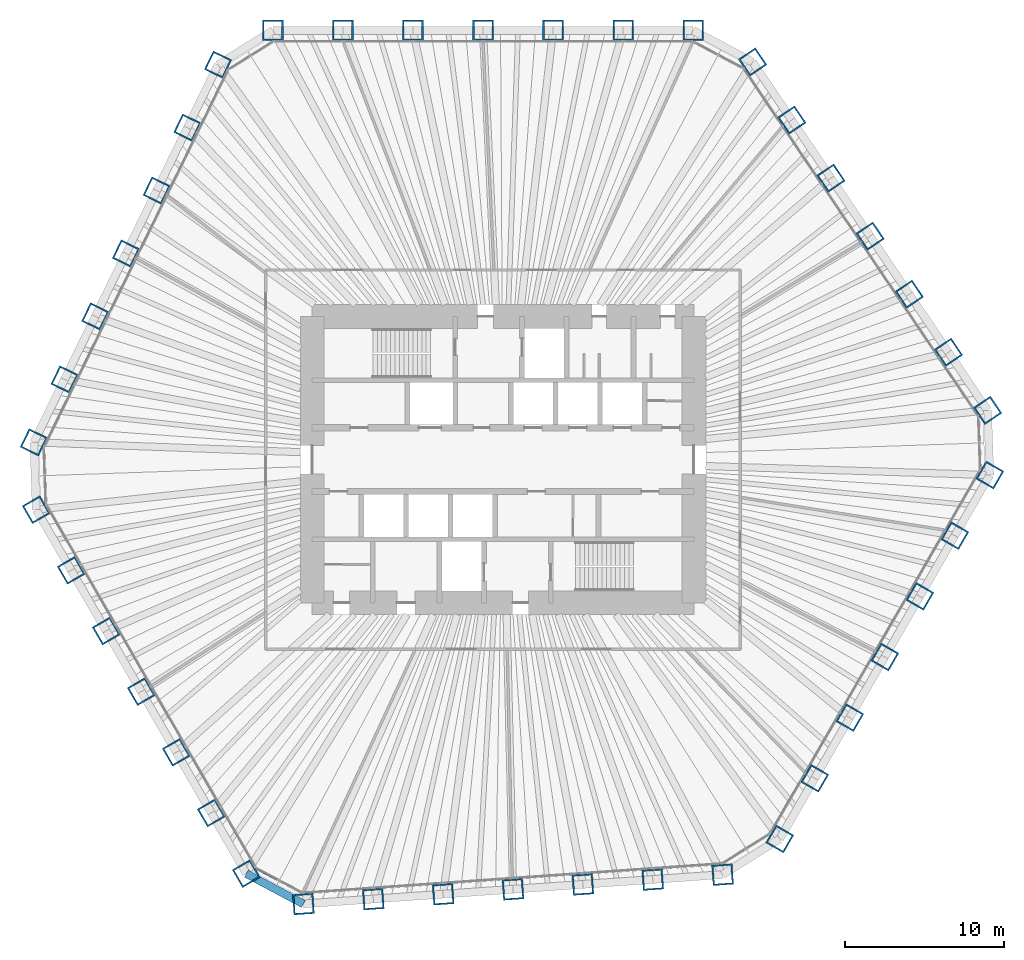
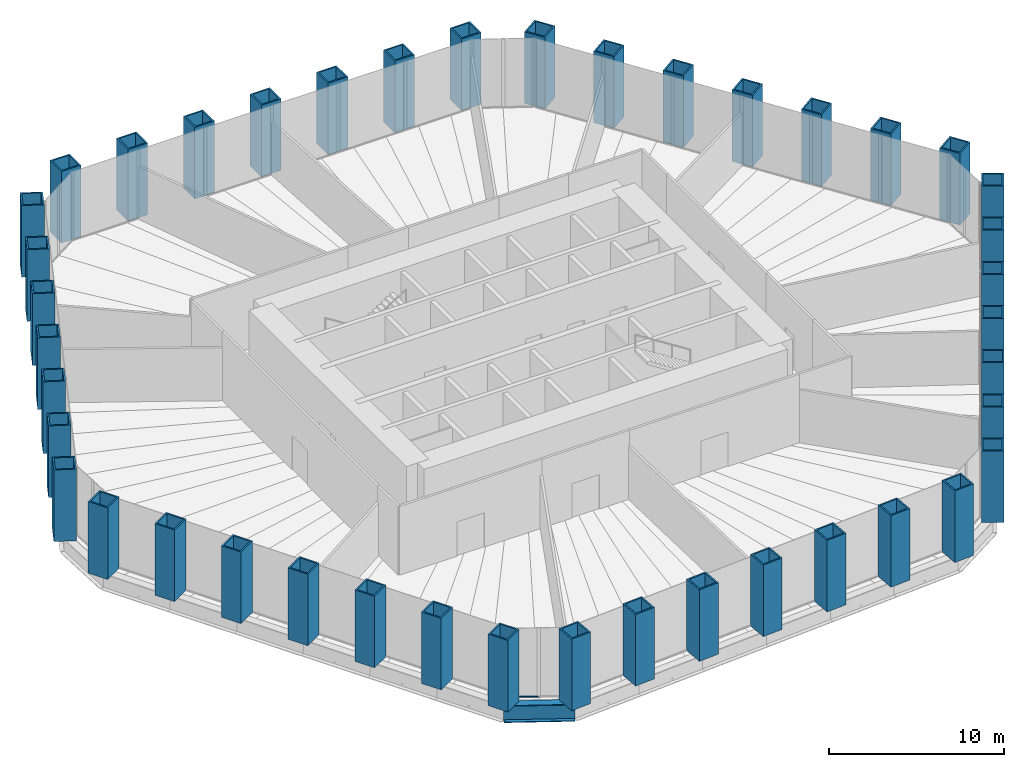
# One storey, part 1 of 14: 42 columns, 1 beam, 1 member, 1 element without a shape of its own.
"""IFC4 building model written with IfcOpenShell, lengths in metres."""

from ifc_helpers import new_model, si_unit, direction, frame, origin, origin_2d, place, context, subcontext, project, spatial, rectangle, hollow_rectangle, i_section, extrude, material, material_profile, profile_set, type_object, element, aggregate, save


model = new_model("IFC4")

# Units and contexts
model_context = context("Model", 3, precision=1e-05, world=origin(), true_north=direction((0.0, 1.0)))
body_context = subcontext(model_context, "Body", "Model", "MODEL_VIEW")
ifc_project = project(units=[si_unit("LENGTHUNIT", "METRE"), si_unit("AREAUNIT", "SQUARE_METRE"), si_unit("VOLUMEUNIT", "CUBIC_METRE"), si_unit("PLANEANGLEUNIT", "RADIAN"), si_unit("MASSUNIT", "GRAM", prefix="KILO")], contexts=[model_context])

# Site, building, storey
site_placement = place(None, origin())
site = spatial("IfcSite", under=ifc_project, at=site_placement, CompositionType="ELEMENT")
building_placement = place(site_placement, origin())
building = spatial("IfcBuilding", under=site, at=building_placement, Name="Qingtian Harvest Tower", CompositionType="ELEMENT")
storey_placement = place(building_placement, frame((0.0, 0.0, 52.0)))
storey = spatial("IfcBuildingStorey", under=building, at=storey_placement, Name="L10", CompositionType="ELEMENT", Elevation=52.0)

# Columns
ifc_material_1 = material(Name="Steel SM570MC", Category="steel")
ifc_material_profile_1 = material_profile(ifc_material_1, hollow_rectangle(XDim=1.300048828125, YDim=1.300048828125, WallThickness=0.10009765625, at=origin_2d()), Name="BOX1300x1300x100")
ifc_profile_set_1 = profile_set([ifc_material_profile_1], Name="Steel SM570MC")
column_type = type_object("IfcColumnType", Name="Tube column TC1 BOX1300x1300x100", PredefinedType="COLUMN", material=ifc_profile_set_1)
for number, where, z_axis, x_axis, name in (
    (1, (-14.471435546875, 27.0, 0.0), (0.0, 0.0, 1.0), (-1.0, 0.0, 0.0), "Tube column TC1 N0"),
    (2, (-10.06689453125, 27.0, 0.0), (0.0, 0.0, 1.0), (-1.0, 0.0, 0.0), "Tube column TC1 N1"),
    (3, (-5.662353515625, 27.0, 0.0), (0.0, 0.0, 1.0), (-1.0, 0.0, 0.0), "Tube column TC1 N2"),
    (4, (-1.257568359375, 27.0, 0.0), (0.0, 0.0, 1.0), (-1.0, 0.0, 0.0), "Tube column TC1 N3"),
    (5, (3.14697265625, 27.0, 0.0), (0.0, 0.0, 1.0), (-1.0, 0.0, 0.0), "Tube column TC1 N4"),
    (6, (7.551513671875, 27.0, 0.0), (0.0, 0.0, 1.0), (-1.0, 0.0, 0.0), "Tube column TC1 N5"),
    (7, (11.9560546875, 27.0, 0.0), (0.0, 0.0, 1.0), (-1.0, 0.0, 0.0), "Tube column TC1 N6"),
    (8, (15.6982421875, 25.01025390625, 0.0), (0.0, 0.0, 1.0), (-0.559192903471, 0.829037572555, 0.0), "Tube column TC1 NE0"),
    (9, (18.1611328125, 21.358642578125, 0.0), (0.0, 0.0, 1.0), (-0.559192903471, 0.829037572555, 0.0), "Tube column TC1 NE1"),
    (10, (20.624267578125, 17.70703125, 0.0), (0.0, 0.0, 1.0), (-0.559192903471, 0.829037572555, 0.0), "Tube column TC1 NE2"),
    (11, (23.08740234375, 14.0556640625, 0.0), (0.0, 0.0, 1.0), (-0.559192903471, 0.829037572555, 0.0), "Tube column TC1 NE3"),
    (12, (25.55029296875, 10.404052734375, 0.0), (0.0, 0.0, 1.0), (-0.559192903471, 0.829037572555, 0.0), "Tube column TC1 NE4"),
    (13, (28.013427734375, 6.75244140625, 0.0), (0.0, 0.0, 1.0), (-0.559192903471, 0.829037572555, 0.0), "Tube column TC1 NE5"),
    (14, (30.476318359375, 3.100830078125, 0.0), (0.0, 0.0, 1.0), (-0.559192903471, 0.829037572555, 0.0), "Tube column TC1 NE6"),
    (15, (30.618408203125, -0.96728515625, 0.0), (0.0, 0.0, 1.0), (0.5, 0.866025403784, 0.0), "Tube column TC1 SE0"),
    (16, (28.416015625, -4.78173828125, 0.0), (0.0, 0.0, 1.0), (0.5, 0.866025403784, 0.0), "Tube column TC1 SE1"),
    (17, (26.2138671875, -8.596435546875, 0.0), (0.0, 0.0, 1.0), (0.5, 0.866025403784, 0.0), "Tube column TC1 SE2"),
    (18, (24.011474609375, -12.410888671875, 0.0), (0.0, 0.0, 1.0), (0.5, 0.866025403784, 0.0), "Tube column TC1 SE3"),
    (19, (21.809326171875, -16.225341796875, 0.0), (0.0, 0.0, 1.0), (0.5, 0.866025403784, 0.0), "Tube column TC1 SE4"),
    (20, (19.60693359375, -20.039794921875, 0.0), (0.0, 0.0, 1.0), (0.5, 0.866025403784, 0.0), "Tube column TC1 SE5"),
    (21, (17.404541015625, -23.854248046875, 0.0), (0.0, 0.0, 1.0), (0.5, 0.866025403784, 0.0), "Tube column TC1 SE6"),
    (22, (13.810546875, -26.10009765625, 0.0), (0.0, 0.0, 1.0), (0.99756405026, 0.069756473744, 0.0), "Tube column TC1 S0"),
    (23, (9.41650390625, -26.407470703125, 0.0), (0.0, 0.0, 1.0), (0.99756405026, 0.069756473744, 0.0), "Tube column TC1 S1"),
    (24, (5.022705078125, -26.714599609375, 0.0), (0.0, 0.0, 1.0), (0.99756405026, 0.069756473744, 0.0), "Tube column TC1 S2"),
    (25, (0.62890625, -27.02197265625, 0.0), (0.0, 0.0, 1.0), (0.99756405026, 0.069756473744, 0.0), "Tube column TC1 S3"),
    (26, (-3.76513671875, -27.3291015625, 0.0), (0.0, 0.0, 1.0), (0.99756405026, 0.069756473744, 0.0), "Tube column TC1 S4"),
    (27, (-8.158935546875, -27.636474609375, 0.0), (0.0, 0.0, 1.0), (0.99756405026, 0.069756473744, 0.0), "Tube column TC1 S5"),
    (28, (-12.552734375, -27.943603515625, 0.0), (0.0, 0.0, 1.0), (0.99756405026, 0.069756473744, 0.0), "Tube column TC1 S6"),
    (29, (-16.14697265625, -26.03271484375, 0.0), (0.0, 0.0, 1.0), (0.5, -0.866025403784, 0.0), "Tube column TC1 SW0"),
    (30, (-18.349365234375, -22.21826171875, 0.0), (0.0, 0.0, 1.0), (0.5, -0.866025403784, 0.0), "Tube column TC1 SW1"),
    (31, (-20.551513671875, -18.403564453125, 0.0), (0.0, 0.0, 1.0), (0.5, -0.866025403784, 0.0), "Tube column TC1 SW2"),
    (32, (-22.75390625, -14.589111328125, 0.0), (0.0, 0.0, 1.0), (0.5, -0.866025403784, 0.0), "Tube column TC1 SW3"),
    (33, (-24.9560546875, -10.774658203125, 0.0), (0.0, 0.0, 1.0), (0.5, -0.866025403784, 0.0), "Tube column TC1 SW4"),
    (34, (-27.158447265625, -6.960205078125, 0.0), (0.0, 0.0, 1.0), (0.5, -0.866025403784, 0.0), "Tube column TC1 SW5"),
    (35, (-29.36083984375, -3.145751953125, 0.0), (0.0, 0.0, 1.0), (0.5, -0.866025403784, 0.0), "Tube column TC1 SW6"),
    (36, (-29.5087890625, 1.08984375, 0.0), (0.0, 0.0, 1.0), (-0.438371146789, -0.898794046299, 0.0), "Tube column TC1 NW0"),
    (37, (-27.577880859375, 5.048828125, 0.0), (0.0, 0.0, 1.0), (-0.438371146789, -0.898794046299, 0.0), "Tube column TC1 NW1"),
    (38, (-25.64697265625, 9.007568359375, 0.0), (0.0, 0.0, 1.0), (-0.438371146789, -0.898794046299, 0.0), "Tube column TC1 NW2"),
    (39, (-23.716064453125, 12.96630859375, 0.0), (0.0, 0.0, 1.0), (-0.438371146789, -0.898794046299, 0.0), "Tube column TC1 NW3"),
    (40, (-21.78515625, 16.92529296875, 0.0), (0.0, 0.0, 1.0), (-0.438371146789, -0.898794046299, 0.0), "Tube column TC1 NW4"),
    (41, (-19.8544921875, 20.884033203125, 0.0), (0.0, 0.0, 1.0), (-0.438371146789, -0.898794046299, 0.0), "Tube column TC1 NW5"),
    (42, (-17.923583984375, 24.8427734375, 0.0), (0.0, 0.0, 1.0), (-0.438371146789, -0.898794046299, 0.0), "Tube column TC1 NW6"),
):
    element("IfcColumn", number, at=place(storey_placement, frame(where, z_axis=z_axis, x_axis=x_axis)), inside=storey, type_object=column_type, Name=name, PredefinedType="COLUMN", context=body_context, shape_type="SweptSolid", body=[
        extrude(hollow_rectangle(XDim=1.300048828125, YDim=1.300048828125, WallThickness=0.10009765625, at=origin_2d()), origin(), (0.0, 0.0, 1.0), 5.0),
    ])

# Beam
ifc_material_2 = material(Name="Steel SM570MC", Category="steel")
ifc_material_profile_2 = material_profile(ifc_material_2, i_section(OverallWidth=0.5, OverallDepth=1.199951171875, WebThickness=0.02490234375, FlangeThickness=0.050048828125, at=origin_2d()), Name="H1200x500x25x50")
ifc_profile_set_2 = profile_set([ifc_material_profile_2], Name="Steel SM570MC")
beam_type = type_object("IfcBeamType", Name="Spandrel beam SB1 H1200x500x25x50", PredefinedType="SPANDREL", material=ifc_profile_set_2)
beam_placement = place(storey_placement, frame((-12.552734375, -27.943603515625, -0.60009765625), z_axis=(-0.882968133669, 0.469432929101, 0.0), x_axis=(-0.469432929101, -0.882968133669, 0.0)))
element("IfcBeam", 43, at=beam_placement, inside=storey, type_object=beam_type, Name="Spandrel SB1 SC", PredefinedType="SPANDREL", context=body_context, shape_type="SweptSolid", body=[
    extrude(i_section(OverallWidth=0.5, OverallDepth=1.199951171875, WebThickness=0.02490234375, FlangeThickness=0.050048828125, at=origin_2d()), origin(), (0.0, 0.0, 1.0), 4.070556640625),
])

# Curtain wall, member
ifc_material_3 = material(Name="Bronze-anodised aluminium curtain wall", Category="aluminium")
curtain_wall_type = type_object("IfcCurtainWallType", Name="Curtain wall CW2 farm reception", PredefinedType="USERDEFINED", material=ifc_material_3)
curtain_wall_placement = place(storey_placement, origin())
curtain_wall = element("IfcCurtainWall", 44, at=curtain_wall_placement, inside=storey, type_object=curtain_wall_type, Name="Curtain wall CW2 L10 SC", ObjectType="RECESSED CURTAIN WALL", PredefinedType="USERDEFINED")
ifc_material_4 = material(Name="Bronze-anodised aluminium transom", Category="aluminium")
ifc_material_profile_3 = material_profile(ifc_material_4, rectangle(XDim=0.14990234375, YDim=0.06494140625, at=origin_2d()), Name="AL 65x150")
ifc_profile_set_3 = profile_set([ifc_material_profile_3], Name="Bronze-anodised aluminium transom")
member_type = type_object("IfcMemberType", Name="Transom CWT 65x150", PredefinedType="USERDEFINED", material=ifc_profile_set_3)
member_placement = place(storey_placement, frame((-14.099853515625, -26.44873046875, 0.032470703125), z_axis=(-0.882960338349, 0.46944759122, 0.0), x_axis=(-0.46944759122, -0.882960338349, 0.0)))
member = element("IfcMember", 45, at=member_placement, type_object=member_type, Name="CW2 transom 2.1", ObjectType="TRANSOM", PredefinedType="USERDEFINED", context=body_context, shape_type="SweptSolid", body=[
    extrude(rectangle(XDim=0.14990234375, YDim=0.06494140625, at=origin_2d()), origin(), (0.0, 0.0, 1.0), 1.56689453125),
])
aggregate(curtain_wall, [member])

save(model, "model.ifc")
